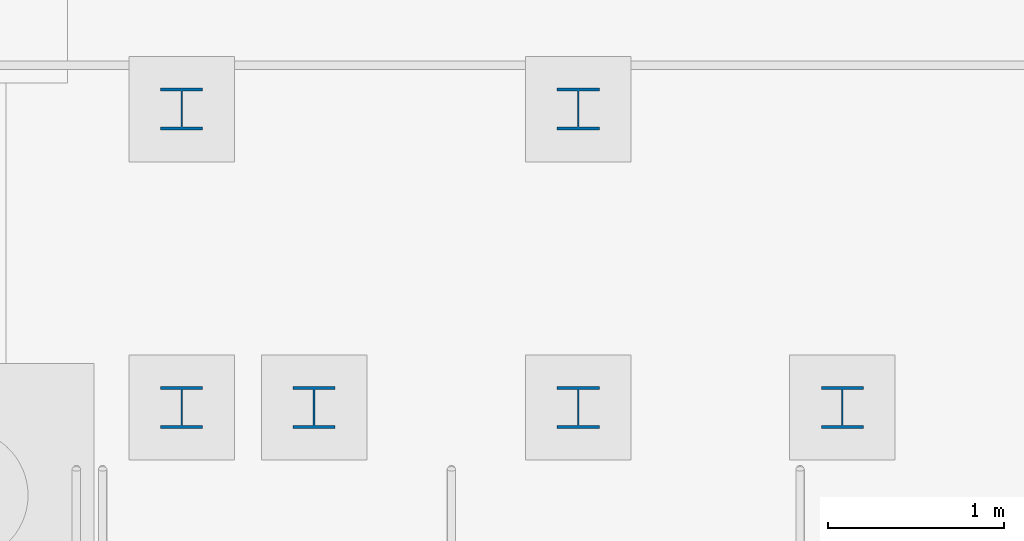
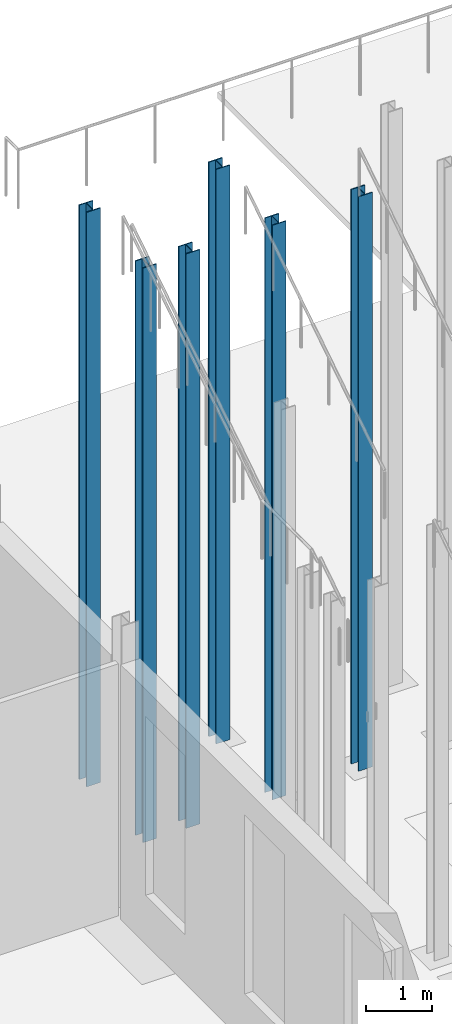
# One storey, part 34 of 132: 6 columns.
"""IFC4 building model written with IfcOpenShell, lengths in metres."""

from ifc_helpers import new_model, si_unit, direction, frame, origin, origin_2d, place, context, subcontext, project, spatial, i_section, extrude, material, material_profile, profile_set, type_object, element, save


model = new_model("IFC4")

# Units and contexts
model_context = context("Model", 3, precision=1e-05, world=origin(), true_north=direction((0.0, 1.0)))
body_context = subcontext(model_context, "Body", "Model", "MODEL_VIEW")
ifc_project = project(units=[si_unit("LENGTHUNIT", "METRE"), si_unit("AREAUNIT", "SQUARE_METRE"), si_unit("VOLUMEUNIT", "CUBIC_METRE"), si_unit("PLANEANGLEUNIT", "RADIAN"), si_unit("MASSUNIT", "GRAM", prefix="KILO")], contexts=[model_context])

# Site, building, storey
site_placement = place(None, origin())
site = spatial("IfcSite", under=ifc_project, at=site_placement, CompositionType="ELEMENT")
building_placement = place(site_placement, origin())
building = spatial("IfcBuilding", under=site, at=building_placement, Name="Ravi Spectrum Wholesale Market", CompositionType="ELEMENT")
storey_placement = place(building_placement, origin())
storey = spatial("IfcBuildingStorey", under=building, at=storey_placement, Name="L00", CompositionType="ELEMENT", Elevation=0.0)

# Columns
ifc_material = material(Name="Steel S355", Category="steel")
ifc_material_profile = material_profile(ifc_material, i_section(OverallWidth=0.239990234375, OverallDepth=0.239990234375, WebThickness=0.010009765625, FlangeThickness=0.01708984375, at=origin_2d()))
ifc_profile_set = profile_set([ifc_material_profile], Name="Steel S355")
column_type = type_object("IfcColumnType", Name="HEB 240 column", PredefinedType="COLUMN", material=ifc_profile_set)
for number, where, z_axis, x_axis, name in (
    (1, (61.25, 223.550048828125, 0.0), (0.0, 0.0, 1.0), (1.0, 0.0, 0.0), "GW-COL-L00-037"),
    (2, (61.25, 225.25, 0.0), (0.0, 0.0, 1.0), (1.0, 0.0, 0.0), "GW-COL-L00-038"),
    (3, (62.0048828125, 223.550048828125, 0.0), (0.0, 0.0, 1.0), (1.0, 0.0, 0.0), "GW-COL-L00-039"),
    (4, (63.510009765625, 223.550048828125, 0.0), (0.0, 0.0, 1.0), (1.0, 0.0, 0.0), "GW-COL-L00-040"),
    (5, (63.510009765625, 225.25, 0.0), (0.0, 0.0, 1.0), (1.0, 0.0, 0.0), "GW-COL-L00-041"),
    (6, (65.014892578125, 223.550048828125, 0.0), (0.0, 0.0, 1.0), (1.0, 0.0, 0.0), "GW-COL-L00-042"),
):
    element("IfcColumn", number, at=place(storey_placement, frame(where, z_axis=z_axis, x_axis=x_axis)), inside=storey, type_object=column_type, Name=name, PredefinedType="COLUMN", context=body_context, shape_type="SweptSolid", body=[
        extrude(i_section(OverallWidth=0.239990234375, OverallDepth=0.239990234375, WebThickness=0.010009765625, FlangeThickness=0.01708984375, at=origin_2d()), origin(), (0.0, 0.0, 1.0), 10.60009765625),
    ])

save(model, "model.ifc")
